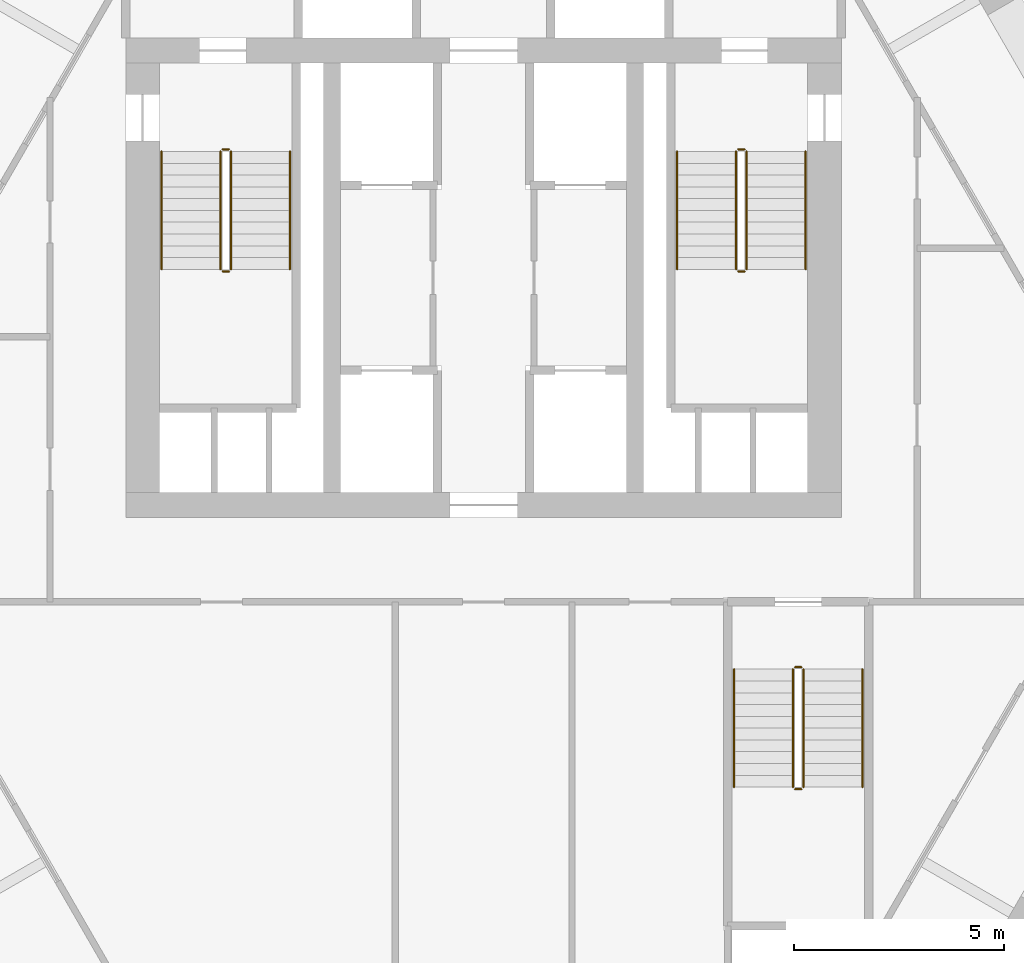
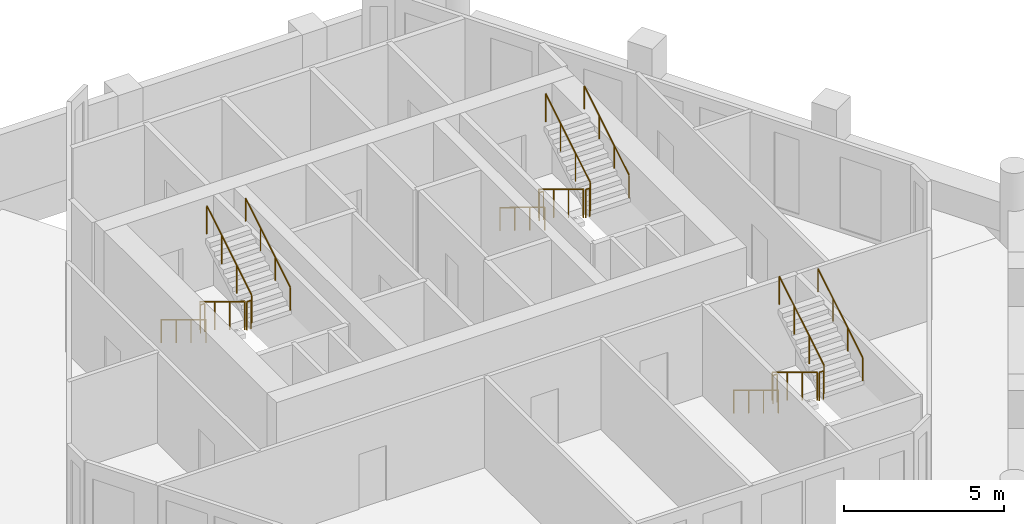
# One storey, part 6 of 6: 18 railings.
"""IFC4 building model written with IfcOpenShell, lengths in metres."""

import ifcopenshell
import ifcopenshell.guid

model = None  # the IFC model being written
_history = None  # IfcOwnerHistory: only IFC2X3 demands one
_inside = {}  # id of a spatial element -> (the spatial element, [elements in it])
_under = {}  # id of a project, library or spatial element -> (it, [spatial elements below it])
_declared = {}  # id of a project -> (the project, [libraries it declares])
_typed = {}  # id of a type object -> (the type object, [elements of that type])
_made_of = {}  # id of a material, layer set ... -> (it, [elements and type objects made of it])


def new_model(schema):
    """Start an empty IFC model of exactly this schema.

    Asked for "IFC4X3", IfcOpenShell would pick the latest addendum, in which some entities
    have other attributes; the version numbers below select the first issue.
    IFC2X3 requires an IfcOwnerHistory on every rooted entity: one is made here for all.
    """
    global model, _history
    if schema == "IFC4X3":
        model = ifcopenshell.file(schema_version=(4, 3, 0, 0))
    else:
        model = ifcopenshell.file(schema=schema)
    _inside.clear()
    _under.clear()
    _declared.clear()
    _typed.clear()
    _made_of.clear()
    _history = None
    if model.schema == "IFC2X3":
        org = make("IfcOrganization", Name="unknown")
        user = make(
            "IfcPersonAndOrganization",
            ThePerson=make("IfcPerson", FamilyName="unknown"),
            TheOrganization=org,
        )
        app = make(
            "IfcApplication",
            ApplicationDeveloper=org,
            Version="unknown",
            ApplicationFullName="unknown",
            ApplicationIdentifier="unknown",
        )
        _history = make(
            "IfcOwnerHistory",
            OwningUser=user,
            OwningApplication=app,
            ChangeAction="ADDED",
            CreationDate=0,
        )
    return model


def make(cls, **values):
    """One entity of the class cls with the attributes given. An attribute that is None is left unset."""
    return model.create_entity(
        cls, **{name: value for name, value in values.items() if value is not None}
    )


def rooted(cls, **values):
    """An entity with a GlobalId (a new one), such as an element, a storey or a relation."""
    return make(cls, GlobalId=ifcopenshell.guid.new(), OwnerHistory=_history, **values)


def si_unit(unit_type, name, prefix=None):
    """IfcSIUnit, for example si_unit("LENGTHUNIT", "METRE", prefix="MILLI")."""
    return make("IfcSIUnit", UnitType=unit_type, Prefix=prefix, Name=name)


def assignment(units):
    """IfcUnitAssignment: the units of a project."""
    return None if units is None else make("IfcUnitAssignment", Units=units)


def point(xyz):
    """IfcCartesianPoint."""
    return None if xyz is None else make("IfcCartesianPoint", Coordinates=xyz)


def direction(xyz):
    """IfcDirection."""
    return None if xyz is None else make("IfcDirection", DirectionRatios=xyz)


def frame(location, z_axis=None, x_axis=None):
    """IfcAxis2Placement3D, a coordinate frame: its origin and axes. An axis left out is left unset."""
    return make(
        "IfcAxis2Placement3D",
        Location=point(location),
        Axis=direction(z_axis),
        RefDirection=direction(x_axis),
    )


def frame_2d(location, x_axis=None):
    """IfcAxis2Placement2D, a coordinate frame in the plane: its origin and x axis."""
    return make(
        "IfcAxis2Placement2D", Location=point(location), RefDirection=direction(x_axis)
    )


def origin():
    """The frame at (0, 0, 0) with its axes left unset."""
    return frame((0.0, 0.0, 0.0))


def origin_2d():
    """The frame at (0, 0) in the plane with its x axis left unset."""
    return frame_2d((0.0, 0.0))


def place(relative_to, where):
    """IfcLocalPlacement: puts the frame where relative to a parent placement (None: the world)."""
    return make(
        "IfcLocalPlacement", PlacementRelTo=relative_to, RelativePlacement=where
    )


def context(
    kind, dimensions, precision=None, world=None, true_north=None, identifier=None
):
    """IfcGeometricRepresentationContext, for example the 3D "Model" context."""
    return make(
        "IfcGeometricRepresentationContext",
        ContextIdentifier=identifier,
        ContextType=kind,
        CoordinateSpaceDimension=dimensions,
        Precision=precision,
        WorldCoordinateSystem=world,
        TrueNorth=true_north,
    )


def subcontext(parent, identifier, kind, view, scale=None):
    """IfcGeometricRepresentationSubContext, for example "Body" below "Model"."""
    return make(
        "IfcGeometricRepresentationSubContext",
        ContextIdentifier=identifier,
        ContextType=kind,
        ParentContext=parent,
        TargetScale=scale,
        TargetView=view,
    )


def project(units=None, contexts=None):
    """IfcProject with its units and contexts."""
    return rooted(
        "IfcProject",
        Name="project",
        RepresentationContexts=contexts,
        UnitsInContext=assignment(units),
    )


def spatial(cls, under=None, at=None, **own):
    """A site, building, storey or space (cls), placed at a placement, below another one or the project."""
    s = rooted(cls, ObjectPlacement=at, **own)
    if under is not None:
        _under.setdefault(under.id(), (under, []))[1].append(s)
    return s


def profile(cls, at=None, kind="AREA", **sizes):
    """A parametric profile (cls). Its sizes go by their IFC names, for example OverallWidth=200.0."""
    return make(cls, ProfileType=kind, Position=at, **sizes)


def circle(**sizes):
    """IfcCircleProfileDef."""
    return profile("IfcCircleProfileDef", **sizes)


def extrude(swept, where, along, depth):
    """IfcExtrudedAreaSolid: the profile swept, set in the frame where, extruded along a direction by depth."""
    return make(
        "IfcExtrudedAreaSolid",
        SweptArea=swept,
        Position=where,
        ExtrudedDirection=direction(along),
        Depth=depth,
    )


def shape(context_of_items, identifier, shape_type, items):
    """IfcShapeRepresentation: the items that make up one representation, for example the "Body"."""
    return make(
        "IfcShapeRepresentation",
        ContextOfItems=context_of_items,
        RepresentationIdentifier=identifier,
        RepresentationType=shape_type,
        Items=items,
    )


def material(Name=None, Category=None):
    """IfcMaterial."""
    return make("IfcMaterial", Name=Name, Category=Category)


def made_of(thing, what):
    """Note that an element or type object is made of a material, layer set ...; save() writes the relation."""
    if what is not None:
        _made_of.setdefault(what.id(), (what, []))[1].append(thing)
    return thing


def type_object(cls, material=None, **own):
    """A type object (cls), such as IfcWallType, which elements share."""
    return made_of(rooted(cls, **own), material)


def element(
    cls,
    number,
    at=None,
    inside=None,
    cuts=None,
    type_object=None,
    material=None,
    context=None,
    identifier="Body",
    shape_type=None,
    held_by="IfcProductDefinitionShape",
    body=None,
    shapes=None,
    **own,
):
    """One element of the class cls, such as IfcWall. Its Tag is "e" and its number.

    at: its placement. inside: the storey or other place that contains it. cuts: it is an
    opening in that element (IfcRelVoidsElement). A single representation is given by context,
    identifier, shape_type and body (its items); several are given by shapes. held_by: the class
    of the entity that holds the representations. save() writes the other relations.
    """
    e = rooted(cls, Tag="e%d" % number, ObjectPlacement=at, **own)
    if body is not None:
        shapes = [shape(context, identifier, shape_type, body)]
    if shapes is not None:
        e.Representation = make(held_by, Representations=shapes)
    if inside is not None:
        _inside.setdefault(inside.id(), (inside, []))[1].append(e)
    if cuts is not None:
        rooted(
            "IfcRelVoidsElement", RelatingBuildingElement=cuts, RelatedOpeningElement=e
        )
    if type_object is not None:
        _typed.setdefault(type_object.id(), (type_object, []))[1].append(e)
    return made_of(e, material)


def aggregate(whole, parts):
    """IfcRelAggregates: a whole, such as a stair, and the parts it consists of."""
    return rooted("IfcRelAggregates", RelatingObject=whole, RelatedObjects=parts)


def save(model, path):
    """Write the relations noted so far, then the file.

    IfcRelAggregates (storeys below a building ...), IfcRelContainedInSpatialStructure (elements
    in a storey), IfcRelDefinesByType, IfcRelAssociatesMaterial and IfcRelDeclares: one each for
    every whole, place, type object, material and project.
    """
    for whole, parts in _under.values():
        aggregate(whole, parts)
    for where, things in _inside.values():
        rooted(
            "IfcRelContainedInSpatialStructure",
            RelatedElements=things,
            RelatingStructure=where,
        )
    for kind, things in _typed.values():
        rooted("IfcRelDefinesByType", RelatedObjects=things, RelatingType=kind)
    for what, things in _made_of.values():
        rooted("IfcRelAssociatesMaterial", RelatedObjects=things, RelatingMaterial=what)
    for by, libraries in _declared.values():
        rooted("IfcRelDeclares", RelatingContext=by, RelatedDefinitions=libraries)
    model.write(path)


model = new_model("IFC4")

# Units and contexts
model_context = context("Model", 3, precision=1e-05, world=origin(), true_north=direction((0.0, 1.0)))
body_context = subcontext(model_context, "Body", "Model", "MODEL_VIEW")
ifc_project = project(units=[si_unit("LENGTHUNIT", "METRE"), si_unit("AREAUNIT", "SQUARE_METRE"), si_unit("VOLUMEUNIT", "CUBIC_METRE"), si_unit("PLANEANGLEUNIT", "RADIAN"), si_unit("MASSUNIT", "GRAM", prefix="KILO")], contexts=[model_context])

# Site, building, storey
site_placement = place(None, origin())
site = spatial("IfcSite", under=ifc_project, at=site_placement, CompositionType="ELEMENT")
building_placement = place(site_placement, origin())
building = spatial("IfcBuilding", under=site, at=building_placement, Name="Ostrander Bayou Hotel Tower", CompositionType="ELEMENT")
storey_placement = place(building_placement, frame((0.0, 0.0, 260.0)))
storey = spatial("IfcBuildingStorey", under=building, at=storey_placement, Name="L64", CompositionType="ELEMENT", Elevation=260.0)

# Railings
ifc_material_1 = material(Name="Steel ASTM A500 Gr C", Category="steel")
railing_type_1 = type_object("IfcRailingType", Name="GR1 stair guard 1100 mm steel", PredefinedType="GUARDRAIL", material=ifc_material_1)
railing_1_placement = place(storey_placement, frame((-6.25, 7.0, 0.17041015625)))
element("IfcRailing", 1, at=railing_1_placement, inside=storey, type_object=railing_type_1, Name="L64 STA stair guard 1", PredefinedType="GUARDRAIL", context=body_context, shape_type="SweptSolid", body=[
    extrude(circle(Radius=0.02392578125, at=origin_2d()), frame((0.0, 0.0, 1.076171875), z_axis=(0.0, -0.854169791009, 0.51999420009), x_axis=(1.0, 0.0, 0.0)), (0.0, 0.0, 1.0), 3.278076171875),
    extrude(circle(Radius=0.02099609375, at=origin_2d()), origin(), (0.0, 0.0, 1.0), 1.052001953125),
    extrude(circle(Radius=0.02099609375, at=origin_2d()), frame((0.0, -0.933349609375, 0.568115234375)), (0.0, 0.0, 1.0), 1.052001953125),
    extrude(circle(Radius=0.02099609375, at=origin_2d()), frame((0.0, -1.86669921875, 1.136474609375)), (0.0, 0.0, 1.0), 1.052001953125),
    extrude(circle(Radius=0.02099609375, at=origin_2d()), frame((0.0, -2.800048828125, 1.70458984375)), (0.0, 0.0, 1.0), 1.052001953125),
])
railing_2_placement = place(storey_placement, frame((-6.199951171875, 4.14990234375, 1.875)))
element("IfcRailing", 2, at=railing_2_placement, inside=storey, type_object=railing_type_1, Name="L64 STA stair guard 2", PredefinedType="GUARDRAIL", context=body_context, shape_type="SweptSolid", body=[
    extrude(circle(Radius=0.02392578125, at=origin_2d()), frame((0.0, 0.0, 1.076171875), z_axis=(1.0, 0.0, 0.0), x_axis=(0.0, 1.0, 0.0)), (0.0, 0.0, 1.0), 0.14990234375),
    extrude(circle(Radius=0.02099609375, at=origin_2d()), origin(), (0.0, 0.0, 1.0), 1.052001953125),
    extrude(circle(Radius=0.02099609375, at=origin_2d()), frame((0.14990234375, 0.0, 0.0)), (0.0, 0.0, 1.0), 1.052001953125),
])
railing_3_placement = place(storey_placement, frame((-6.0, 4.199951171875, 2.04541015625)))
element("IfcRailing", 3, at=railing_3_placement, inside=storey, type_object=railing_type_1, Name="L64 STA stair guard 3", PredefinedType="GUARDRAIL", context=body_context, shape_type="SweptSolid", body=[
    extrude(circle(Radius=0.02392578125, at=origin_2d()), frame((0.0, 0.0, 1.076171875), z_axis=(0.0, 0.854169791009, 0.51999420009), x_axis=(-1.0, 0.0, 0.0)), (0.0, 0.0, 1.0), 3.278076171875),
    extrude(circle(Radius=0.02099609375, at=origin_2d()), origin(), (0.0, 0.0, 1.0), 1.052001953125),
    extrude(circle(Radius=0.02099609375, at=origin_2d()), frame((0.0, 0.933349609375, 0.568115234375)), (0.0, 0.0, 1.0), 1.052001953125),
    extrude(circle(Radius=0.02099609375, at=origin_2d()), frame((0.0, 1.86669921875, 1.136474609375)), (0.0, 0.0, 1.0), 1.052001953125),
    extrude(circle(Radius=0.02099609375, at=origin_2d()), frame((0.0, 2.800048828125, 1.70458984375)), (0.0, 0.0, 1.0), 1.052001953125),
])
railing_4_placement = place(storey_placement, frame((-6.199951171875, 7.050048828125, 0.0)))
element("IfcRailing", 4, at=railing_4_placement, inside=storey, type_object=railing_type_1, Name="L64 STA stair guard 4", PredefinedType="GUARDRAIL", context=body_context, shape_type="SweptSolid", body=[
    extrude(circle(Radius=0.02392578125, at=origin_2d()), frame((0.0, 0.0, 1.076171875), z_axis=(1.0, 0.0, 0.0), x_axis=(0.0, 1.0, 0.0)), (0.0, 0.0, 1.0), 0.14990234375),
    extrude(circle(Radius=0.02099609375, at=origin_2d()), origin(), (0.0, 0.0, 1.0), 1.052001953125),
    extrude(circle(Radius=0.02099609375, at=origin_2d()), frame((0.14990234375, 0.0, 0.0)), (0.0, 0.0, 1.0), 1.052001953125),
])
railing_5_placement = place(storey_placement, frame((6.0, 7.0, 0.17041015625)))
element("IfcRailing", 5, at=railing_5_placement, inside=storey, type_object=railing_type_1, Name="L64 STB stair guard 1", PredefinedType="GUARDRAIL", context=body_context, shape_type="SweptSolid", body=[
    extrude(circle(Radius=0.02392578125, at=origin_2d()), frame((0.0, 0.0, 1.076171875), z_axis=(0.0, -0.854169791009, 0.51999420009), x_axis=(1.0, 0.0, 0.0)), (0.0, 0.0, 1.0), 3.278076171875),
    extrude(circle(Radius=0.02099609375, at=origin_2d()), origin(), (0.0, 0.0, 1.0), 1.052001953125),
    extrude(circle(Radius=0.02099609375, at=origin_2d()), frame((0.0, -0.933349609375, 0.568115234375)), (0.0, 0.0, 1.0), 1.052001953125),
    extrude(circle(Radius=0.02099609375, at=origin_2d()), frame((0.0, -1.86669921875, 1.136474609375)), (0.0, 0.0, 1.0), 1.052001953125),
    extrude(circle(Radius=0.02099609375, at=origin_2d()), frame((0.0, -2.800048828125, 1.70458984375)), (0.0, 0.0, 1.0), 1.052001953125),
])
railing_6_placement = place(storey_placement, frame((6.050048828125, 4.14990234375, 1.875)))
element("IfcRailing", 6, at=railing_6_placement, inside=storey, type_object=railing_type_1, Name="L64 STB stair guard 2", PredefinedType="GUARDRAIL", context=body_context, shape_type="SweptSolid", body=[
    extrude(circle(Radius=0.02392578125, at=origin_2d()), frame((0.0, 0.0, 1.076171875), z_axis=(1.0, 0.0, 0.0), x_axis=(0.0, 1.0, 0.0)), (0.0, 0.0, 1.0), 0.14990234375),
    extrude(circle(Radius=0.02099609375, at=origin_2d()), origin(), (0.0, 0.0, 1.0), 1.052001953125),
    extrude(circle(Radius=0.02099609375, at=origin_2d()), frame((0.14990234375, 0.0, 0.0)), (0.0, 0.0, 1.0), 1.052001953125),
])
railing_7_placement = place(storey_placement, frame((6.25, 4.199951171875, 2.04541015625)))
element("IfcRailing", 7, at=railing_7_placement, inside=storey, type_object=railing_type_1, Name="L64 STB stair guard 3", PredefinedType="GUARDRAIL", context=body_context, shape_type="SweptSolid", body=[
    extrude(circle(Radius=0.02392578125, at=origin_2d()), frame((0.0, 0.0, 1.076171875), z_axis=(0.0, 0.854169791009, 0.51999420009), x_axis=(-1.0, 0.0, 0.0)), (0.0, 0.0, 1.0), 3.278076171875),
    extrude(circle(Radius=0.02099609375, at=origin_2d()), origin(), (0.0, 0.0, 1.0), 1.052001953125),
    extrude(circle(Radius=0.02099609375, at=origin_2d()), frame((0.0, 0.933349609375, 0.568115234375)), (0.0, 0.0, 1.0), 1.052001953125),
    extrude(circle(Radius=0.02099609375, at=origin_2d()), frame((0.0, 1.86669921875, 1.136474609375)), (0.0, 0.0, 1.0), 1.052001953125),
    extrude(circle(Radius=0.02099609375, at=origin_2d()), frame((0.0, 2.800048828125, 1.70458984375)), (0.0, 0.0, 1.0), 1.052001953125),
])
railing_8_placement = place(storey_placement, frame((6.050048828125, 7.050048828125, 0.0)))
element("IfcRailing", 8, at=railing_8_placement, inside=storey, type_object=railing_type_1, Name="L64 STB stair guard 4", PredefinedType="GUARDRAIL", context=body_context, shape_type="SweptSolid", body=[
    extrude(circle(Radius=0.02392578125, at=origin_2d()), frame((0.0, 0.0, 1.076171875), z_axis=(1.0, 0.0, 0.0), x_axis=(0.0, 1.0, 0.0)), (0.0, 0.0, 1.0), 0.14990234375),
    extrude(circle(Radius=0.02099609375, at=origin_2d()), origin(), (0.0, 0.0, 1.0), 1.052001953125),
    extrude(circle(Radius=0.02099609375, at=origin_2d()), frame((0.14990234375, 0.0, 0.0)), (0.0, 0.0, 1.0), 1.052001953125),
])
railing_9_placement = place(storey_placement, frame((7.35009765625, -5.300048828125, 0.17041015625)))
element("IfcRailing", 9, at=railing_9_placement, inside=storey, type_object=railing_type_1, Name="L64 STC stair guard 1", PredefinedType="GUARDRAIL", context=body_context, shape_type="SweptSolid", body=[
    extrude(circle(Radius=0.02392578125, at=origin_2d()), frame((0.0, 0.0, 1.076171875), z_axis=(0.0, -0.854169791009, 0.51999420009), x_axis=(1.0, 0.0, 0.0)), (0.0, 0.0, 1.0), 3.278076171875),
    extrude(circle(Radius=0.02099609375, at=origin_2d()), origin(), (0.0, 0.0, 1.0), 1.052001953125),
    extrude(circle(Radius=0.02099609375, at=origin_2d()), frame((0.0, -0.933349609375, 0.568115234375)), (0.0, 0.0, 1.0), 1.052001953125),
    extrude(circle(Radius=0.02099609375, at=origin_2d()), frame((0.0, -1.86669921875, 1.136474609375)), (0.0, 0.0, 1.0), 1.052001953125),
    extrude(circle(Radius=0.02099609375, at=origin_2d()), frame((0.0, -2.800048828125, 1.70458984375)), (0.0, 0.0, 1.0), 1.052001953125),
])
railing_10_placement = place(storey_placement, frame((7.39990234375, -8.14990234375, 1.875)))
element("IfcRailing", 10, at=railing_10_placement, inside=storey, type_object=railing_type_1, Name="L64 STC stair guard 2", PredefinedType="GUARDRAIL", context=body_context, shape_type="SweptSolid", body=[
    extrude(circle(Radius=0.02392578125, at=origin_2d()), frame((0.0, 0.0, 1.076171875), z_axis=(1.0, 0.0, 0.0), x_axis=(0.0, 1.0, 0.0)), (0.0, 0.0, 1.0), 0.150146484375),
    extrude(circle(Radius=0.02099609375, at=origin_2d()), origin(), (0.0, 0.0, 1.0), 1.052001953125),
    extrude(circle(Radius=0.02099609375, at=origin_2d()), frame((0.150146484375, 0.0, 0.0)), (0.0, 0.0, 1.0), 1.052001953125),
])
railing_11_placement = place(storey_placement, frame((7.60009765625, -8.10009765625, 2.04541015625)))
element("IfcRailing", 11, at=railing_11_placement, inside=storey, type_object=railing_type_1, Name="L64 STC stair guard 3", PredefinedType="GUARDRAIL", context=body_context, shape_type="SweptSolid", body=[
    extrude(circle(Radius=0.02392578125, at=origin_2d()), frame((0.0, 0.0, 1.076171875), z_axis=(0.0, 0.854169791009, 0.51999420009), x_axis=(-1.0, 0.0, 0.0)), (0.0, 0.0, 1.0), 3.278076171875),
    extrude(circle(Radius=0.02099609375, at=origin_2d()), origin(), (0.0, 0.0, 1.0), 1.052001953125),
    extrude(circle(Radius=0.02099609375, at=origin_2d()), frame((0.0, 0.933349609375, 0.568115234375)), (0.0, 0.0, 1.0), 1.052001953125),
    extrude(circle(Radius=0.02099609375, at=origin_2d()), frame((0.0, 1.86669921875, 1.136474609375)), (0.0, 0.0, 1.0), 1.052001953125),
    extrude(circle(Radius=0.02099609375, at=origin_2d()), frame((0.0, 2.800048828125, 1.70458984375)), (0.0, 0.0, 1.0), 1.052001953125),
])
railing_12_placement = place(storey_placement, frame((7.39990234375, -5.25, 0.0)))
element("IfcRailing", 12, at=railing_12_placement, inside=storey, type_object=railing_type_1, Name="L64 STC stair guard 4", PredefinedType="GUARDRAIL", context=body_context, shape_type="SweptSolid", body=[
    extrude(circle(Radius=0.02392578125, at=origin_2d()), frame((0.0, 0.0, 1.076171875), z_axis=(1.0, 0.0, 0.0), x_axis=(0.0, 1.0, 0.0)), (0.0, 0.0, 1.0), 0.150146484375),
    extrude(circle(Radius=0.02099609375, at=origin_2d()), origin(), (0.0, 0.0, 1.0), 1.052001953125),
    extrude(circle(Radius=0.02099609375, at=origin_2d()), frame((0.150146484375, 0.0, 0.0)), (0.0, 0.0, 1.0), 1.052001953125),
])
ifc_material_2 = material(Name="Steel ASTM A500 Gr C", Category="steel")
railing_type_2 = type_object("IfcRailingType", Name="HR1 stair handrail 900 mm steel", PredefinedType="HANDRAIL", material=ifc_material_2)
railing_13_placement = place(storey_placement, frame((-7.64990234375, 7.0, 0.17041015625)))
element("IfcRailing", 13, at=railing_13_placement, inside=storey, type_object=railing_type_2, Name="L64 STA stair handrail 1", PredefinedType="HANDRAIL", context=body_context, shape_type="SweptSolid", body=[
    extrude(circle(Radius=0.02392578125, at=origin_2d()), frame((0.0, 0.0, 0.8759765625), z_axis=(0.0, -0.854169791009, 0.51999420009), x_axis=(1.0, 0.0, 0.0)), (0.0, 0.0, 1.0), 3.278076171875),
    extrude(circle(Radius=0.02099609375, at=origin_2d()), origin(), (0.0, 0.0, 1.0), 0.851806640625),
    extrude(circle(Radius=0.02099609375, at=origin_2d()), frame((0.0, -0.933349609375, 0.568115234375)), (0.0, 0.0, 1.0), 0.851806640625),
    extrude(circle(Radius=0.02099609375, at=origin_2d()), frame((0.0, -1.86669921875, 1.136474609375)), (0.0, 0.0, 1.0), 0.851806640625),
    extrude(circle(Radius=0.02099609375, at=origin_2d()), frame((0.0, -2.800048828125, 1.70458984375)), (0.0, 0.0, 1.0), 0.851806640625),
])
railing_14_placement = place(storey_placement, frame((-4.60009765625, 4.199951171875, 2.04541015625)))
element("IfcRailing", 14, at=railing_14_placement, inside=storey, type_object=railing_type_2, Name="L64 STA stair handrail 2", PredefinedType="HANDRAIL", context=body_context, shape_type="SweptSolid", body=[
    extrude(circle(Radius=0.02392578125, at=origin_2d()), frame((0.0, 0.0, 0.8759765625), z_axis=(0.0, 0.854169791009, 0.51999420009), x_axis=(-1.0, 0.0, 0.0)), (0.0, 0.0, 1.0), 3.278076171875),
    extrude(circle(Radius=0.02099609375, at=origin_2d()), origin(), (0.0, 0.0, 1.0), 0.851806640625),
    extrude(circle(Radius=0.02099609375, at=origin_2d()), frame((0.0, 0.933349609375, 0.568115234375)), (0.0, 0.0, 1.0), 0.851806640625),
    extrude(circle(Radius=0.02099609375, at=origin_2d()), frame((0.0, 1.86669921875, 1.136474609375)), (0.0, 0.0, 1.0), 0.851806640625),
    extrude(circle(Radius=0.02099609375, at=origin_2d()), frame((0.0, 2.800048828125, 1.70458984375)), (0.0, 0.0, 1.0), 0.851806640625),
])
railing_15_placement = place(storey_placement, frame((4.60009765625, 7.0, 0.17041015625)))
element("IfcRailing", 15, at=railing_15_placement, inside=storey, type_object=railing_type_2, Name="L64 STB stair handrail 1", PredefinedType="HANDRAIL", context=body_context, shape_type="SweptSolid", body=[
    extrude(circle(Radius=0.02392578125, at=origin_2d()), frame((0.0, 0.0, 0.8759765625), z_axis=(0.0, -0.854169791009, 0.51999420009), x_axis=(1.0, 0.0, 0.0)), (0.0, 0.0, 1.0), 3.278076171875),
    extrude(circle(Radius=0.02099609375, at=origin_2d()), origin(), (0.0, 0.0, 1.0), 0.851806640625),
    extrude(circle(Radius=0.02099609375, at=origin_2d()), frame((0.0, -0.933349609375, 0.568115234375)), (0.0, 0.0, 1.0), 0.851806640625),
    extrude(circle(Radius=0.02099609375, at=origin_2d()), frame((0.0, -1.86669921875, 1.136474609375)), (0.0, 0.0, 1.0), 0.851806640625),
    extrude(circle(Radius=0.02099609375, at=origin_2d()), frame((0.0, -2.800048828125, 1.70458984375)), (0.0, 0.0, 1.0), 0.851806640625),
])
railing_16_placement = place(storey_placement, frame((7.64990234375, 4.199951171875, 2.04541015625)))
element("IfcRailing", 16, at=railing_16_placement, inside=storey, type_object=railing_type_2, Name="L64 STB stair handrail 2", PredefinedType="HANDRAIL", context=body_context, shape_type="SweptSolid", body=[
    extrude(circle(Radius=0.02392578125, at=origin_2d()), frame((0.0, 0.0, 0.8759765625), z_axis=(0.0, 0.854169791009, 0.51999420009), x_axis=(-1.0, 0.0, 0.0)), (0.0, 0.0, 1.0), 3.278076171875),
    extrude(circle(Radius=0.02099609375, at=origin_2d()), origin(), (0.0, 0.0, 1.0), 0.851806640625),
    extrude(circle(Radius=0.02099609375, at=origin_2d()), frame((0.0, 0.933349609375, 0.568115234375)), (0.0, 0.0, 1.0), 0.851806640625),
    extrude(circle(Radius=0.02099609375, at=origin_2d()), frame((0.0, 1.86669921875, 1.136474609375)), (0.0, 0.0, 1.0), 0.851806640625),
    extrude(circle(Radius=0.02099609375, at=origin_2d()), frame((0.0, 2.800048828125, 1.70458984375)), (0.0, 0.0, 1.0), 0.851806640625),
])
railing_17_placement = place(storey_placement, frame((5.949951171875, -5.300048828125, 0.17041015625)))
element("IfcRailing", 17, at=railing_17_placement, inside=storey, type_object=railing_type_2, Name="L64 STC stair handrail 1", PredefinedType="HANDRAIL", context=body_context, shape_type="SweptSolid", body=[
    extrude(circle(Radius=0.02392578125, at=origin_2d()), frame((0.0, 0.0, 0.8759765625), z_axis=(0.0, -0.854169791009, 0.51999420009), x_axis=(1.0, 0.0, 0.0)), (0.0, 0.0, 1.0), 3.278076171875),
    extrude(circle(Radius=0.02099609375, at=origin_2d()), origin(), (0.0, 0.0, 1.0), 0.851806640625),
    extrude(circle(Radius=0.02099609375, at=origin_2d()), frame((0.0, -0.933349609375, 0.568115234375)), (0.0, 0.0, 1.0), 0.851806640625),
    extrude(circle(Radius=0.02099609375, at=origin_2d()), frame((0.0, -1.86669921875, 1.136474609375)), (0.0, 0.0, 1.0), 0.851806640625),
    extrude(circle(Radius=0.02099609375, at=origin_2d()), frame((0.0, -2.800048828125, 1.70458984375)), (0.0, 0.0, 1.0), 0.851806640625),
])
railing_18_placement = place(storey_placement, frame((9.0, -8.10009765625, 2.04541015625)))
element("IfcRailing", 18, at=railing_18_placement, inside=storey, type_object=railing_type_2, Name="L64 STC stair handrail 2", PredefinedType="HANDRAIL", context=body_context, shape_type="SweptSolid", body=[
    extrude(circle(Radius=0.02392578125, at=origin_2d()), frame((0.0, 0.0, 0.8759765625), z_axis=(0.0, 0.854169791009, 0.51999420009), x_axis=(-1.0, 0.0, 0.0)), (0.0, 0.0, 1.0), 3.278076171875),
    extrude(circle(Radius=0.02099609375, at=origin_2d()), origin(), (0.0, 0.0, 1.0), 0.851806640625),
    extrude(circle(Radius=0.02099609375, at=origin_2d()), frame((0.0, 0.933349609375, 0.568115234375)), (0.0, 0.0, 1.0), 0.851806640625),
    extrude(circle(Radius=0.02099609375, at=origin_2d()), frame((0.0, 1.86669921875, 1.136474609375)), (0.0, 0.0, 1.0), 0.851806640625),
    extrude(circle(Radius=0.02099609375, at=origin_2d()), frame((0.0, 2.800048828125, 1.70458984375)), (0.0, 0.0, 1.0), 0.851806640625),
])

save(model, "model.ifc")
